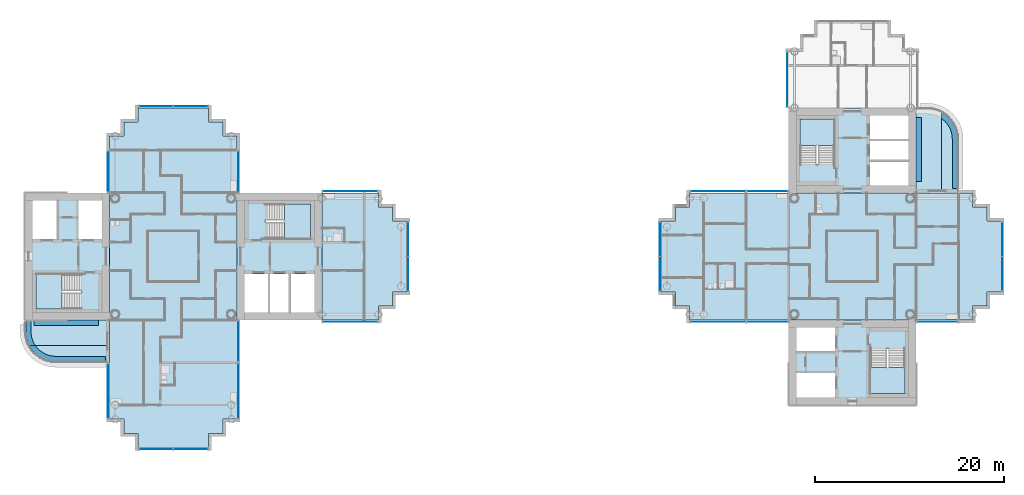
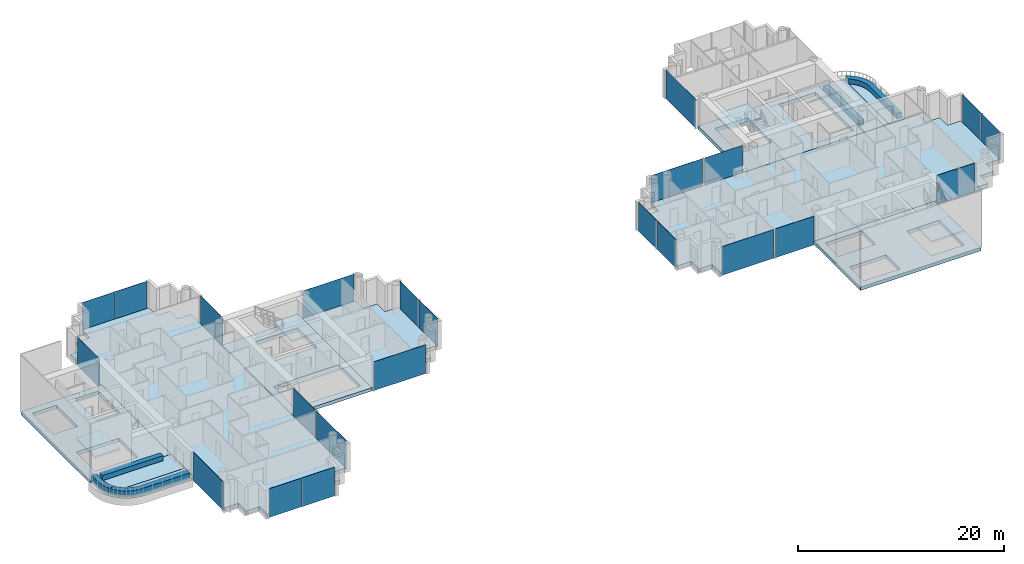
# One storey, part 5 of 20: 23 plates, 20 slabs, 22 elements without a shape of their own.
"""IFC4 building model written with IfcOpenShell, lengths in metres."""

from ifc_helpers import new_model, si_unit, direction, frame, origin, origin_2d, place, context, subcontext, project, spatial, polyline, rectangle, outline, extrude, material, layer, layer_set, type_object, element, aggregate, save


model = new_model("IFC4")

# Units and contexts
model_context = context("Model", 3, precision=1e-05, world=origin(), true_north=direction((0.0, 1.0)))
body_context = subcontext(model_context, "Body", "Model", "MODEL_VIEW")
ifc_project = project(units=[si_unit("LENGTHUNIT", "METRE"), si_unit("AREAUNIT", "SQUARE_METRE"), si_unit("VOLUMEUNIT", "CUBIC_METRE"), si_unit("PLANEANGLEUNIT", "RADIAN"), si_unit("MASSUNIT", "GRAM", prefix="KILO")], contexts=[model_context])

# Site, building, storey
site_placement = place(None, origin())
site = spatial("IfcSite", under=ifc_project, at=site_placement, CompositionType="ELEMENT")
building_placement = place(site_placement, origin())
building = spatial("IfcBuilding", under=site, at=building_placement, Name="Ipe Terrace Towers", CompositionType="ELEMENT")
storey_placement = place(building_placement, frame((0.0, 0.0, 160.89990234375)))
storey = spatial("IfcBuildingStorey", under=building, at=storey_placement, Name="L44", CompositionType="ELEMENT", Elevation=160.89990234375)

# Slabs
ifc_material_1 = material(Name="Concrete C30/37", Category="concrete")
ifc_layer_1 = layer(ifc_material_1, 0.199951171875)
ifc_layer_set_1 = layer_set([ifc_layer_1], Name="BALCONY SLAB 200")
slab_type_1 = type_object("IfcSlabType", Name="BALCONY SLAB 200", PredefinedType="FLOOR", material=ifc_layer_set_1)
slab_1_placement = place(storey_placement, frame((0.0, 0.0, -0.219970703125)))
element("IfcSlab", 1, at=slab_1_placement, inside=storey, type_object=slab_type_1, Name="balcony slab", PredefinedType="FLOOR", context=body_context, shape_type="SweptSolid", body=[
    extrude(outline(polyline([(-51.4990234375, -9.212890625), (-51.382080078125, -9.449951171875), (-42.75, -9.449951171875), (-42.75, -6.75), (-51.75, -6.75), (-51.75, -7.949951171875), (-51.721923828125, -8.381103515625), (-51.637939453125, -8.803955078125), (-51.4990234375, -9.212890625)])), origin(), (0.0, 0.0, 1.0), 0.199951171875),
])
slab_2_placement = place(storey_placement, frame((0.0, 0.0, -0.219970703125)))
element("IfcSlab", 2, at=slab_2_placement, inside=storey, type_object=slab_type_1, Name="balcony slab", PredefinedType="FLOOR", context=body_context, shape_type="SweptSolid", body=[
    extrude(outline(polyline([(-42.75, -11.25), (-42.75, -9.449951171875), (-51.382080078125, -9.449951171875), (-51.30810546875, -9.60009765625), (-51.068115234375, -9.958984375), (-50.782958984375, -10.282958984375), (-50.458984375, -10.568115234375), (-50.10009765625, -10.80810546875), (-49.712890625, -10.9990234375), (-49.303955078125, -11.137939453125), (-48.881103515625, -11.221923828125), (-48.449951171875, -11.25), (-42.75, -11.25)])), origin(), (0.0, 0.0, 1.0), 0.199951171875),
])
slab_3_placement = place(storey_placement, frame((0.0, 0.0, -0.219970703125)))
element("IfcSlab", 3, at=slab_3_placement, inside=storey, type_object=slab_type_1, Name="balcony slab", PredefinedType="FLOOR", context=body_context, shape_type="SweptSolid", body=[
    extrude(outline(polyline([(45.212890625, 15.4990234375), (44.803955078125, 15.637939453125), (44.381103515625, 15.721923828125), (43.949951171875, 15.75), (42.75, 15.75), (42.75, 6.75), (45.449951171875, 6.75), (45.449951171875, 15.382080078125), (45.212890625, 15.4990234375)])), origin(), (0.0, 0.0, 1.0), 0.199951171875),
])
slab_4_placement = place(storey_placement, frame((0.0, 0.0, -0.219970703125)))
element("IfcSlab", 4, at=slab_4_placement, inside=storey, type_object=slab_type_1, Name="balcony slab", PredefinedType="FLOOR", context=body_context, shape_type="SweptSolid", body=[
    extrude(outline(polyline([(47.25, 6.75), (47.25, 12.449951171875), (47.221923828125, 12.881103515625), (47.137939453125, 13.303955078125), (46.9990234375, 13.712890625), (46.80810546875, 14.10009765625), (46.568115234375, 14.458984375), (46.282958984375, 14.782958984375), (45.958984375, 15.068115234375), (45.60009765625, 15.30810546875), (45.449951171875, 15.382080078125), (45.449951171875, 6.75), (47.25, 6.75)])), origin(), (0.0, 0.0, 1.0), 0.199951171875),
])
ifc_material_2 = material(Name="Concrete C30/37", Category="concrete")
ifc_layer_2 = layer(ifc_material_2, 0.39990234375)
ifc_layer_set_2 = layer_set([ifc_layer_2], Name="CORE FLOOR SLAB 400 C30-37")
slab_type_2 = type_object("IfcSlabType", Name="CORE FLOOR SLAB 400 C30-37", PredefinedType="FLOOR", material=ifc_layer_set_2)
slab_5_placement = place(storey_placement, frame((0.0, 0.0, -0.39990234375)))
element("IfcSlab", 5, at=slab_5_placement, inside=storey, type_object=slab_type_2, Name="Core floor T1-C1", PredefinedType="FLOOR", context=body_context, shape_type="SweptSolid", body=[
    extrude(outline(polyline([(-29.25, -6.75), (-29.25, 6.75), (-20.25, 6.75), (-20.25, -6.75), (-29.25, -6.75)]), holes=[polyline([(-28.449951171875, -5.949951171875), (-21.050048828125, -5.949951171875), (-21.050048828125, -1.85009765625), (-28.449951171875, -1.85009765625), (-28.449951171875, -5.949951171875)]), polyline([(-26.199951171875, 5.550048828125), (-26.199951171875, 1.89990234375), (-21.449951171875, 1.89990234375), (-21.449951171875, 5.550048828125), (-26.199951171875, 5.550048828125)])]), origin(), (0.0, 0.0, 1.0), 0.39990234375),
])
slab_6_placement = place(storey_placement, frame((0.0, 0.0, -0.39990234375)))
element("IfcSlab", 6, at=slab_6_placement, inside=storey, type_object=slab_type_2, Name="Core floor T1-C2", PredefinedType="FLOOR", context=body_context, shape_type="SweptSolid", body=[
    extrude(outline(polyline([(-51.75, -6.75), (-51.75, 6.75), (-42.75, 6.75), (-42.75, -6.75), (-51.75, -6.75)]), holes=[polyline([(-45.800048828125, -1.89990234375), (-50.550048828125, -1.89990234375), (-50.550048828125, -5.550048828125), (-45.800048828125, -5.550048828125), (-45.800048828125, -1.89990234375)]), polyline([(-48.25, 1.85009765625), (-48.25, 5.949951171875), (-50.949951171875, 5.949951171875), (-50.949951171875, 1.85009765625), (-48.25, 1.85009765625)]), polyline([(-43.550048828125, 1.85009765625), (-43.550048828125, 5.949951171875), (-46.14990234375, 5.949951171875), (-46.14990234375, 1.85009765625), (-43.550048828125, 1.85009765625)])]), origin(), (0.0, 0.0, 1.0), 0.39990234375),
])
slab_7_placement = place(storey_placement, frame((0.0, 0.0, -0.39990234375)))
element("IfcSlab", 7, at=slab_7_placement, inside=storey, type_object=slab_type_2, Name="Core floor T2-C1", PredefinedType="FLOOR", context=body_context, shape_type="SweptSolid", body=[
    extrude(outline(polyline([(29.25, 6.75), (29.25, 15.75), (42.75, 15.75), (42.75, 6.75), (29.25, 6.75)]), holes=[polyline([(41.949951171875, 7.550048828125), (41.949951171875, 14.949951171875), (37.85009765625, 14.949951171875), (37.85009765625, 7.550048828125), (41.949951171875, 7.550048828125)]), polyline([(30.449951171875, 9.800048828125), (34.10009765625, 9.800048828125), (34.10009765625, 14.550048828125), (30.449951171875, 14.550048828125), (30.449951171875, 9.800048828125)])]), origin(), (0.0, 0.0, 1.0), 0.39990234375),
])
slab_8_placement = place(storey_placement, frame((0.0, 0.0, -0.39990234375)))
element("IfcSlab", 8, at=slab_8_placement, inside=storey, type_object=slab_type_2, Name="Core floor T2-C2", PredefinedType="FLOOR", context=body_context, shape_type="SweptSolid", body=[
    extrude(outline(polyline([(29.25, -15.75), (29.25, -6.75), (42.75, -6.75), (42.75, -15.75), (29.25, -15.75)]), holes=[polyline([(30.050048828125, -12.25), (30.050048828125, -14.949951171875), (34.14990234375, -14.949951171875), (34.14990234375, -12.25), (30.050048828125, -12.25)]), polyline([(41.550048828125, -9.800048828125), (37.89990234375, -9.800048828125), (37.89990234375, -14.550048828125), (41.550048828125, -14.550048828125), (41.550048828125, -9.800048828125)]), polyline([(34.14990234375, -7.550048828125), (30.050048828125, -7.550048828125), (30.050048828125, -10.14990234375), (34.14990234375, -10.14990234375), (34.14990234375, -7.550048828125)])]), origin(), (0.0, 0.0, 1.0), 0.39990234375),
])

# Stair, slab
ifc_material_3 = material(Name="Concrete C30/37", Category="concrete")
stair_type = type_object("IfcStairType", Name="Protected exit stair", PredefinedType="HALF_TURN_STAIR", material=ifc_material_3)
stair_1_placement = place(storey_placement, origin())
stair_1 = element("IfcStair", 9, at=stair_1_placement, inside=storey, type_object=stair_type, Name="L44 Exit stair T1-C1", PredefinedType="HALF_TURN_STAIR")
ifc_material_4 = material(Name="Concrete C30/37", Category="concrete")
ifc_layer_3 = layer(ifc_material_4, 0.199951171875)
ifc_layer_set_3 = layer_set([ifc_layer_3], Name="Exit stair landing 200")
slab_type_3 = type_object("IfcSlabType", Name="Exit stair landing 200", PredefinedType="LANDING", material=ifc_layer_set_3)
slab_9_placement = place(storey_placement, frame((0.0, 0.0, 1.5)))
slab_9 = element("IfcSlab", 10, at=slab_9_placement, type_object=slab_type_3, Name="T1-ST1 landing 1", PredefinedType="LANDING", context=body_context, shape_type="SweptSolid", body=[
    extrude(outline(polyline([(-24.219970703125, 1.89990234375), (-21.449951171875, 1.89990234375), (-21.449951171875, 5.550048828125), (-24.219970703125, 5.550048828125), (-24.219970703125, 1.89990234375)])), origin(), (0.0, 0.0, 1.0), 0.2001953125),
])
aggregate(stair_1, [slab_9])

stair_2_placement = place(storey_placement, origin())
stair_2 = element("IfcStair", 11, at=stair_2_placement, inside=storey, type_object=stair_type, Name="L44 Exit stair T1-C2", PredefinedType="HALF_TURN_STAIR")
slab_10_placement = place(storey_placement, frame((0.0, 0.0, 1.5)))
slab_10 = element("IfcSlab", 12, at=slab_10_placement, type_object=slab_type_3, Name="T1-ST2 landing 1", PredefinedType="LANDING", context=body_context, shape_type="SweptSolid", body=[
    extrude(outline(polyline([(-47.780029296875, -1.89990234375), (-50.550048828125, -1.89990234375), (-50.550048828125, -5.550048828125), (-47.780029296875, -5.550048828125), (-47.780029296875, -1.89990234375)])), origin(), (0.0, 0.0, 1.0), 0.2001953125),
])
aggregate(stair_2, [slab_10])

stair_3_placement = place(storey_placement, origin())
stair_3 = element("IfcStair", 13, at=stair_3_placement, inside=storey, type_object=stair_type, Name="L44 Exit stair T2-C1", PredefinedType="HALF_TURN_STAIR")
slab_11_placement = place(storey_placement, frame((0.0, 0.0, 1.5)))
slab_11 = element("IfcSlab", 14, at=slab_11_placement, type_object=slab_type_3, Name="T2-ST1 landing 1", PredefinedType="LANDING", context=body_context, shape_type="SweptSolid", body=[
    extrude(outline(polyline([(34.10009765625, 11.780029296875), (34.10009765625, 14.550048828125), (30.449951171875, 14.550048828125), (30.449951171875, 11.780029296875), (34.10009765625, 11.780029296875)])), origin(), (0.0, 0.0, 1.0), 0.2001953125),
])
aggregate(stair_3, [slab_11])

stair_4_placement = place(storey_placement, origin())
stair_4 = element("IfcStair", 15, at=stair_4_placement, inside=storey, type_object=stair_type, Name="L44 Exit stair T2-C2", PredefinedType="HALF_TURN_STAIR")
slab_12_placement = place(storey_placement, frame((0.0, 0.0, 1.5)))
slab_12 = element("IfcSlab", 16, at=slab_12_placement, type_object=slab_type_3, Name="T2-ST2 landing 1", PredefinedType="LANDING", context=body_context, shape_type="SweptSolid", body=[
    extrude(outline(polyline([(37.89990234375, -11.780029296875), (37.89990234375, -14.550048828125), (41.550048828125, -14.550048828125), (41.550048828125, -11.780029296875), (37.89990234375, -11.780029296875)])), origin(), (0.0, 0.0, 1.0), 0.2001953125),
])
aggregate(stair_4, [slab_12])

# Slabs
ifc_material_5 = material(Name="Concrete C40/50", Category="concrete")
ifc_layer_4 = layer(ifc_material_5, 0.39990234375)
ifc_layer_set_4 = layer_set([ifc_layer_4], Name="FLAT PLATE SLAB 400 C40-50")
slab_type_4 = type_object("IfcSlabType", Name="FLAT PLATE SLAB 400 C40-50", PredefinedType="FLOOR", material=ifc_layer_set_4)
slab_13_placement = place(storey_placement, frame((0.0, 0.0, -0.39990234375)))
element("IfcSlab", 17, at=slab_13_placement, inside=storey, type_object=slab_type_4, Name="Slab T1-FS-Z31", PredefinedType="FLOOR", context=body_context, shape_type="SweptSolid", body=[
    extrude(outline(polyline([(-30.75, -17.25), (-30.75, -18.75), (-32.25, -18.75), (-32.25, -20.25), (-39.75, -20.25), (-39.75, -18.75), (-41.25, -18.75), (-41.25, -17.25), (-42.75, -17.25), (-42.75, -6.75), (-42.75, 6.75), (-42.75, 12.75), (-41.25, 12.75), (-41.25, 14.25), (-39.75, 14.25), (-39.75, 15.75), (-32.25, 15.75), (-32.25, 14.25), (-30.75, 14.25), (-30.75, 12.75), (-29.25, 12.75), (-29.25, 6.75), (-29.25, -6.75), (-29.25, -17.25), (-30.75, -17.25)])), origin(), (0.0, 0.0, 1.0), 0.39990234375),
])
slab_14_placement = place(storey_placement, frame((0.0, 0.0, -0.39990234375)))
element("IfcSlab", 18, at=slab_14_placement, inside=storey, type_object=slab_type_4, Name="Slab T1-FS-Z32", PredefinedType="FLOOR", context=body_context, shape_type="SweptSolid", body=[
    extrude(outline(polyline([(-14.25, 5.25), (-12.75, 5.25), (-12.75, 3.75), (-11.25, 3.75), (-11.25, -3.75), (-12.75, -3.75), (-12.75, -5.25), (-14.25, -5.25), (-14.25, -6.75), (-20.25, -6.75), (-20.25, 6.75), (-14.25, 6.75), (-14.25, 5.25)])), origin(), (0.0, 0.0, 1.0), 0.39990234375),
])
slab_15_placement = place(storey_placement, frame((0.0, 0.0, -0.39990234375)))
element("IfcSlab", 19, at=slab_15_placement, inside=storey, type_object=slab_type_4, Name="Slab T2-FS-Z31", PredefinedType="FLOOR", context=body_context, shape_type="SweptSolid", body=[
    extrude(outline(polyline([(48.75, 5.25), (50.25, 5.25), (50.25, 3.75), (51.75, 3.75), (51.75, -3.75), (50.25, -3.75), (50.25, -5.25), (48.75, -5.25), (48.75, -6.75), (42.75, -6.75), (29.25, -6.75), (18.75, -6.75), (18.75, -5.25), (17.25, -5.25), (17.25, -3.75), (15.75, -3.75), (15.75, 3.75), (17.25, 3.75), (17.25, 5.25), (18.75, 5.25), (18.75, 6.75), (29.25, 6.75), (42.75, 6.75), (48.75, 6.75), (48.75, 5.25)])), origin(), (0.0, 0.0, 1.0), 0.39990234375),
])
ifc_material_6 = material(Name="Concrete C30/37", Category="concrete")
ifc_layer_5 = layer(ifc_material_6, 0.60009765625)
ifc_layer_set_5 = layer_set([ifc_layer_5], Name="PLANTER TROUGH 550 x 600")
slab_type_5 = type_object("IfcSlabType", Name="PLANTER TROUGH 550 x 600", PredefinedType="USERDEFINED", material=ifc_layer_set_5)
slab_16_placement = place(storey_placement, frame((0.0, 0.0, -0.02001953125)))
element("IfcSlab", 20, at=slab_16_placement, inside=storey, type_object=slab_type_5, Name="planter", ObjectType="PLANTER", PredefinedType="USERDEFINED", context=body_context, shape_type="SweptSolid", body=[
    extrude(outline(polyline([(-50.9990234375, -8.633056640625), (-51.06591796875, -8.2939453125), (-51.090087890625, -7.927978515625), (-51.090087890625, -6.75), (-51.639892578125, -6.75), (-51.639892578125, -7.93701171875), (-51.638916015625, -7.955078125), (-51.614013671875, -8.347900390625), (-51.60888671875, -8.384033203125), (-51.534912109375, -8.758056640625), (-51.52490234375, -8.79296875), (-51.403076171875, -9.154052734375), (-51.388916015625, -9.18701171875), (-51.259033203125, -9.449951171875), (-50.614013671875, -9.449951171875), (-50.735107421875, -9.26904296875), (-50.887939453125, -8.9599609375), (-50.9990234375, -8.633056640625)])), origin(), (0.0, 0.0, 1.0), 0.60009765625),
])
slab_17_placement = place(storey_placement, frame((0.0, 0.0, -0.02001953125)))
element("IfcSlab", 21, at=slab_17_placement, inside=storey, type_object=slab_type_5, Name="planter", ObjectType="PLANTER", PredefinedType="USERDEFINED", context=body_context, shape_type="SweptSolid", body=[
    extrude(outline(polyline([(-50.54296875, -9.555908203125), (-50.614013671875, -9.449951171875), (-51.259033203125, -9.449951171875), (-51.219970703125, -9.529052734375), (-51.201904296875, -9.56005859375), (-50.990966796875, -9.876953125), (-50.968994140625, -9.905029296875), (-50.717041015625, -10.19189453125), (-50.69189453125, -10.217041015625), (-50.405029296875, -10.468994140625), (-50.376953125, -10.490966796875), (-50.06005859375, -10.701904296875), (-50.029052734375, -10.719970703125), (-49.68701171875, -10.888916015625), (-49.654052734375, -10.903076171875), (-49.29296875, -11.02490234375), (-49.258056640625, -11.034912109375), (-48.884033203125, -11.10888671875), (-48.847900390625, -11.114013671875), (-48.455078125, -11.138916015625), (-48.43701171875, -11.139892578125), (-43.199951171875, -11.139892578125), (-43.199951171875, -10.590087890625), (-48.427978515625, -10.590087890625), (-48.7939453125, -10.56591796875), (-49.133056640625, -10.4990234375), (-49.4599609375, -10.387939453125), (-49.76904296875, -10.235107421875), (-50.055908203125, -10.04296875), (-50.31591796875, -9.81591796875), (-50.54296875, -9.555908203125)])), origin(), (0.0, 0.0, 1.0), 0.60009765625),
])
slab_18_placement = place(storey_placement, frame((0.0, 0.0, -0.02001953125)))
element("IfcSlab", 22, at=slab_18_placement, inside=storey, type_object=slab_type_5, Name="planter", ObjectType="PLANTER", PredefinedType="USERDEFINED", context=body_context, shape_type="SweptSolid", body=[
    extrude(outline(polyline([(-43.949951171875, -6.75), (-50.75, -6.75), (-50.75, -7.300048828125), (-43.949951171875, -7.300048828125), (-43.949951171875, -6.75)])), origin(), (0.0, 0.0, 1.0), 0.60009765625),
])
slab_19_placement = place(storey_placement, frame((0.0, 0.0, -0.02001953125)))
element("IfcSlab", 23, at=slab_19_placement, inside=storey, type_object=slab_type_5, Name="planter", ObjectType="PLANTER", PredefinedType="USERDEFINED", context=body_context, shape_type="SweptSolid", body=[
    extrude(outline(polyline([(45.555908203125, 14.54296875), (45.81591796875, 14.31591796875), (46.04296875, 14.055908203125), (46.235107421875, 13.76904296875), (46.387939453125, 13.4599609375), (46.4990234375, 13.133056640625), (46.56591796875, 12.7939453125), (46.590087890625, 12.427978515625), (46.590087890625, 7.199951171875), (47.139892578125, 7.199951171875), (47.139892578125, 12.43701171875), (47.138916015625, 12.455078125), (47.114013671875, 12.847900390625), (47.10888671875, 12.884033203125), (47.034912109375, 13.258056640625), (47.02490234375, 13.29296875), (46.903076171875, 13.654052734375), (46.888916015625, 13.68701171875), (46.719970703125, 14.029052734375), (46.701904296875, 14.06005859375), (46.490966796875, 14.376953125), (46.468994140625, 14.405029296875), (46.217041015625, 14.69189453125), (46.19189453125, 14.717041015625), (45.905029296875, 14.968994140625), (45.876953125, 14.990966796875), (45.56005859375, 15.201904296875), (45.529052734375, 15.219970703125), (45.449951171875, 15.259033203125), (45.449951171875, 14.614013671875), (45.555908203125, 14.54296875)])), origin(), (0.0, 0.0, 1.0), 0.60009765625),
])
slab_20_placement = place(storey_placement, frame((0.0, 0.0, -0.02001953125)))
element("IfcSlab", 24, at=slab_20_placement, inside=storey, type_object=slab_type_5, Name="planter", ObjectType="PLANTER", PredefinedType="USERDEFINED", context=body_context, shape_type="SweptSolid", body=[
    extrude(outline(polyline([(42.75, 7.949951171875), (43.300048828125, 7.949951171875), (43.300048828125, 14.75), (42.75, 14.75), (42.75, 7.949951171875)])), origin(), (0.0, 0.0, 1.0), 0.60009765625),
])

# Curtain wall, plate
ifc_material_7 = material(Name="Aluminium alloy 6063-T6", Category="aluminium")
ifc_layer_6 = layer(ifc_material_7, 0.320068359375)
ifc_layer_set_6 = layer_set([ifc_layer_6], Name="TOWER UNITISED CURTAIN WALL")
curtain_wall_type = type_object("IfcCurtainWallType", Name="TOWER UNITISED CURTAIN WALL", PredefinedType="NOTDEFINED", material=ifc_layer_set_6)
curtain_wall_1_placement = place(storey_placement, origin())
curtain_wall_1 = element("IfcCurtainWall", 25, at=curtain_wall_1_placement, inside=storey, type_object=curtain_wall_type, Name="T1-CW-L44-03a curtain wall", PredefinedType="NOTDEFINED")
ifc_material_8 = material(Name="Glass, clear laminated", Category="glass")
ifc_layer_7 = layer(ifc_material_8, 0.031982421875)
ifc_layer_set_7 = layer_set([ifc_layer_7], Name="TOWER UNITISED GLASS PANEL 32")
plate_type = type_object("IfcPlateType", Name="TOWER UNITISED GLASS PANEL 32", PredefinedType="CURTAIN_PANEL", material=ifc_layer_set_7)
plate_1_placement = place(storey_placement, frame((-42.909912109375, -14.25, -0.2998046875), z_axis=(0.0, 0.0, 1.0), x_axis=(0.0, -1.0, 0.0)))
plate_1 = element("IfcPlate", 26, at=plate_1_placement, type_object=plate_type, Name="T1-CW-L44-03a panel 1", PredefinedType="CURTAIN_PANEL", context=body_context, shape_type="SweptSolid", body=[
    extrude(rectangle(XDim=5.760009765625, YDim=0.031982421875, at=origin_2d()), origin(), (0.0, 0.0, 1.0), 3.39990234375),
])
aggregate(curtain_wall_1, [plate_1])

# Curtain wall, plates
curtain_wall_2_placement = place(storey_placement, origin())
curtain_wall_2 = element("IfcCurtainWall", 27, at=curtain_wall_2_placement, inside=storey, type_object=curtain_wall_type, Name="T1-CW-L44-08a curtain wall", PredefinedType="NOTDEFINED")
plate_2_placement = place(storey_placement, frame((-37.831298828125, -20.409912109375, -0.2998046875), z_axis=(0.0, 0.0, 1.0), x_axis=(1.0, 0.0, 0.0)))
plate_2 = element("IfcPlate", 28, at=plate_2_placement, type_object=plate_type, Name="T1-CW-L44-08a panel 1", PredefinedType="CURTAIN_PANEL", context=body_context, shape_type="SweptSolid", body=[
    extrude(rectangle(XDim=3.597412109375, YDim=0.031982421875, at=origin_2d()), origin(), (0.0, 0.0, 1.0), 3.39990234375),
])
plate_3_placement = place(storey_placement, frame((-34.168701171875, -20.409912109375, -0.2998046875), z_axis=(0.0, 0.0, 1.0), x_axis=(1.0, 0.0, 0.0)))
plate_3 = element("IfcPlate", 29, at=plate_3_placement, type_object=plate_type, Name="T1-CW-L44-08a panel 2", PredefinedType="CURTAIN_PANEL", context=body_context, shape_type="SweptSolid", body=[
    extrude(rectangle(XDim=3.597412109375, YDim=0.031982421875, at=origin_2d()), origin(), (0.0, 0.0, 1.0), 3.39990234375),
])
aggregate(curtain_wall_2, [plate_2, plate_3])

# Curtain wall, plate
curtain_wall_3_placement = place(storey_placement, origin())
curtain_wall_3 = element("IfcCurtainWall", 30, at=curtain_wall_3_placement, inside=storey, type_object=curtain_wall_type, Name="T1-CW-L44-13a curtain wall", PredefinedType="NOTDEFINED")
plate_4_placement = place(storey_placement, frame((-29.090087890625, -14.25, -0.2998046875), z_axis=(0.0, 0.0, 1.0), x_axis=(0.0, 1.0, 0.0)))
plate_4 = element("IfcPlate", 31, at=plate_4_placement, type_object=plate_type, Name="T1-CW-L44-13a panel 1", PredefinedType="CURTAIN_PANEL", context=body_context, shape_type="SweptSolid", body=[
    extrude(rectangle(XDim=5.760009765625, YDim=0.031982421875, at=origin_2d()), origin(), (0.0, 0.0, 1.0), 3.39990234375),
])
aggregate(curtain_wall_3, [plate_4])

curtain_wall_4_placement = place(storey_placement, origin())
curtain_wall_4 = element("IfcCurtainWall", 32, at=curtain_wall_4_placement, inside=storey, type_object=curtain_wall_type, Name="T1-CW-L44-14a curtain wall", PredefinedType="NOTDEFINED")
plate_5_placement = place(storey_placement, frame((-29.090087890625, -9.0, -0.2998046875), z_axis=(0.0, 0.0, 1.0), x_axis=(0.0, 1.0, 0.0)))
plate_5 = element("IfcPlate", 33, at=plate_5_placement, type_object=plate_type, Name="T1-CW-L44-14a panel 1", PredefinedType="CURTAIN_PANEL", context=body_context, shape_type="SweptSolid", body=[
    extrude(rectangle(XDim=4.260009765625, YDim=0.031982421875, at=origin_2d()), origin(), (0.0, 0.0, 1.0), 3.39990234375),
])
aggregate(curtain_wall_4, [plate_5])

curtain_wall_5_placement = place(storey_placement, origin())
curtain_wall_5 = element("IfcCurtainWall", 34, at=curtain_wall_5_placement, inside=storey, type_object=curtain_wall_type, Name="T1-CW-L44-16b curtain wall", PredefinedType="NOTDEFINED")
plate_6_placement = place(storey_placement, frame((-17.24951171875, -6.909912109375, -0.2998046875), z_axis=(0.0, 0.0, 1.0), x_axis=(1.0, 0.0, 0.0)))
plate_6 = element("IfcPlate", 35, at=plate_6_placement, type_object=plate_type, Name="T1-CW-L44-16b panel 1", PredefinedType="CURTAIN_PANEL", context=body_context, shape_type="SweptSolid", body=[
    extrude(rectangle(XDim=5.759033203125, YDim=0.031982421875, at=origin_2d()), origin(), (0.0, 0.0, 1.0), 3.39990234375),
])
aggregate(curtain_wall_5, [plate_6])

# Curtain wall, plates
curtain_wall_6_placement = place(storey_placement, origin())
curtain_wall_6 = element("IfcCurtainWall", 36, at=curtain_wall_6_placement, inside=storey, type_object=curtain_wall_type, Name="T1-CW-L44-21a curtain wall", PredefinedType="NOTDEFINED")
plate_7_placement = place(storey_placement, frame((-11.090087890625, -1.831298828125, -0.2998046875), z_axis=(0.0, 0.0, 1.0), x_axis=(0.0, 1.0, 0.0)))
plate_7 = element("IfcPlate", 37, at=plate_7_placement, type_object=plate_type, Name="T1-CW-L44-21a panel 1", PredefinedType="CURTAIN_PANEL", context=body_context, shape_type="SweptSolid", body=[
    extrude(rectangle(XDim=3.597412109375, YDim=0.031982421875, at=origin_2d()), origin(), (0.0, 0.0, 1.0), 3.39990234375),
])
plate_8_placement = place(storey_placement, frame((-11.090087890625, 1.831298828125, -0.2998046875), z_axis=(0.0, 0.0, 1.0), x_axis=(0.0, 1.0, 0.0)))
plate_8 = element("IfcPlate", 38, at=plate_8_placement, type_object=plate_type, Name="T1-CW-L44-21a panel 2", PredefinedType="CURTAIN_PANEL", context=body_context, shape_type="SweptSolid", body=[
    extrude(rectangle(XDim=3.597412109375, YDim=0.031982421875, at=origin_2d()), origin(), (0.0, 0.0, 1.0), 3.39990234375),
])
aggregate(curtain_wall_6, [plate_7, plate_8])

# Curtain wall, plate
curtain_wall_7_placement = place(storey_placement, origin())
curtain_wall_7 = element("IfcCurtainWall", 39, at=curtain_wall_7_placement, inside=storey, type_object=curtain_wall_type, Name="T1-CW-L44-26a curtain wall", PredefinedType="NOTDEFINED")
plate_9_placement = place(storey_placement, frame((-17.24951171875, 6.909912109375, -0.2998046875), z_axis=(0.0, 0.0, 1.0), x_axis=(-1.0, 0.0, 0.0)))
plate_9 = element("IfcPlate", 40, at=plate_9_placement, type_object=plate_type, Name="T1-CW-L44-26a panel 1", PredefinedType="CURTAIN_PANEL", context=body_context, shape_type="SweptSolid", body=[
    extrude(rectangle(XDim=5.759033203125, YDim=0.031982421875, at=origin_2d()), origin(), (0.0, 0.0, 1.0), 3.39990234375),
])
aggregate(curtain_wall_7, [plate_9])

curtain_wall_8_placement = place(storey_placement, origin())
curtain_wall_8 = element("IfcCurtainWall", 41, at=curtain_wall_8_placement, inside=storey, type_object=curtain_wall_type, Name="T1-CW-L44-28a curtain wall", PredefinedType="NOTDEFINED")
plate_10_placement = place(storey_placement, frame((-29.090087890625, 9.0, -0.2998046875), z_axis=(0.0, 0.0, 1.0), x_axis=(0.0, 1.0, 0.0)))
plate_10 = element("IfcPlate", 42, at=plate_10_placement, type_object=plate_type, Name="T1-CW-L44-28a panel 1", PredefinedType="CURTAIN_PANEL", context=body_context, shape_type="SweptSolid", body=[
    extrude(rectangle(XDim=4.260009765625, YDim=0.031982421875, at=origin_2d()), origin(), (0.0, 0.0, 1.0), 3.39990234375),
])
aggregate(curtain_wall_8, [plate_10])

# Curtain wall, plates
curtain_wall_9_placement = place(storey_placement, origin())
curtain_wall_9 = element("IfcCurtainWall", 43, at=curtain_wall_9_placement, inside=storey, type_object=curtain_wall_type, Name="T1-CW-L44-34a curtain wall", PredefinedType="NOTDEFINED")
plate_11_placement = place(storey_placement, frame((-34.168701171875, 15.909912109375, -0.2998046875), z_axis=(0.0, 0.0, 1.0), x_axis=(-1.0, 0.0, 0.0)))
plate_11 = element("IfcPlate", 44, at=plate_11_placement, type_object=plate_type, Name="T1-CW-L44-34a panel 1", PredefinedType="CURTAIN_PANEL", context=body_context, shape_type="SweptSolid", body=[
    extrude(rectangle(XDim=3.597412109375, YDim=0.031982421875, at=origin_2d()), origin(), (0.0, 0.0, 1.0), 3.39990234375),
])
plate_12_placement = place(storey_placement, frame((-37.831298828125, 15.909912109375, -0.2998046875), z_axis=(0.0, 0.0, 1.0), x_axis=(-1.0, 0.0, 0.0)))
plate_12 = element("IfcPlate", 45, at=plate_12_placement, type_object=plate_type, Name="T1-CW-L44-34a panel 2", PredefinedType="CURTAIN_PANEL", context=body_context, shape_type="SweptSolid", body=[
    extrude(rectangle(XDim=3.597412109375, YDim=0.031982421875, at=origin_2d()), origin(), (0.0, 0.0, 1.0), 3.39990234375),
])
aggregate(curtain_wall_9, [plate_11, plate_12])

# Curtain wall, plate
curtain_wall_10_placement = place(storey_placement, origin())
curtain_wall_10 = element("IfcCurtainWall", 46, at=curtain_wall_10_placement, inside=storey, type_object=curtain_wall_type, Name="T1-CW-L44-40a curtain wall", PredefinedType="NOTDEFINED")
plate_13_placement = place(storey_placement, frame((-42.909912109375, 9.0, -0.2998046875), z_axis=(0.0, 0.0, 1.0), x_axis=(0.0, -1.0, 0.0)))
plate_13 = element("IfcPlate", 47, at=plate_13_placement, type_object=plate_type, Name="T1-CW-L44-40a panel 1", PredefinedType="CURTAIN_PANEL", context=body_context, shape_type="SweptSolid", body=[
    extrude(rectangle(XDim=4.260009765625, YDim=0.031982421875, at=origin_2d()), origin(), (0.0, 0.0, 1.0), 3.39990234375),
])
aggregate(curtain_wall_10, [plate_13])

curtain_wall_11_placement = place(storey_placement, origin())
curtain_wall_11 = element("IfcCurtainWall", 48, at=curtain_wall_11_placement, inside=storey, type_object=curtain_wall_type, Name="T2-CW-L44-02a curtain wall", PredefinedType="NOTDEFINED")
plate_14_placement = place(storey_placement, frame((45.0, -6.909912109375, -0.2998046875), z_axis=(0.0, 0.0, 1.0), x_axis=(1.0, 0.0, 0.0)))
plate_14 = element("IfcPlate", 49, at=plate_14_placement, type_object=plate_type, Name="T2-CW-L44-02a panel 1", PredefinedType="CURTAIN_PANEL", context=body_context, shape_type="SweptSolid", body=[
    extrude(rectangle(XDim=4.260009765625, YDim=0.031982421875, at=origin_2d()), origin(), (0.0, 0.0, 1.0), 3.39990234375),
])
aggregate(curtain_wall_11, [plate_14])

# Curtain wall, plates
curtain_wall_12_placement = place(storey_placement, origin())
curtain_wall_12 = element("IfcCurtainWall", 50, at=curtain_wall_12_placement, inside=storey, type_object=curtain_wall_type, Name="T2-CW-L44-08a curtain wall", PredefinedType="NOTDEFINED")
plate_15_placement = place(storey_placement, frame((51.909912109375, -1.831298828125, -0.2998046875), z_axis=(0.0, 0.0, 1.0), x_axis=(0.0, 1.0, 0.0)))
plate_15 = element("IfcPlate", 51, at=plate_15_placement, type_object=plate_type, Name="T2-CW-L44-08a panel 1", PredefinedType="CURTAIN_PANEL", context=body_context, shape_type="SweptSolid", body=[
    extrude(rectangle(XDim=3.597412109375, YDim=0.031982421875, at=origin_2d()), origin(), (0.0, 0.0, 1.0), 3.39990234375),
])
plate_16_placement = place(storey_placement, frame((51.909912109375, 1.831298828125, -0.2998046875), z_axis=(0.0, 0.0, 1.0), x_axis=(0.0, 1.0, 0.0)))
plate_16 = element("IfcPlate", 52, at=plate_16_placement, type_object=plate_type, Name="T2-CW-L44-08a panel 2", PredefinedType="CURTAIN_PANEL", context=body_context, shape_type="SweptSolid", body=[
    extrude(rectangle(XDim=3.597412109375, YDim=0.031982421875, at=origin_2d()), origin(), (0.0, 0.0, 1.0), 3.39990234375),
])
aggregate(curtain_wall_12, [plate_15, plate_16])

# Curtain wall, plate
curtain_wall_13_placement = place(storey_placement, origin())
curtain_wall_13 = element("IfcCurtainWall", 53, at=curtain_wall_13_placement, inside=storey, type_object=curtain_wall_type, Name="T2-CW-L44-26a curtain wall", PredefinedType="NOTDEFINED")
plate_17_placement = place(storey_placement, frame((29.090087890625, 18.75048828125, -0.2998046875), z_axis=(0.0, 0.0, 1.0), x_axis=(0.0, -1.0, 0.0)))
plate_17 = element("IfcPlate", 54, at=plate_17_placement, type_object=plate_type, Name="T2-CW-L44-26a panel 1", PredefinedType="CURTAIN_PANEL", context=body_context, shape_type="SweptSolid", body=[
    extrude(rectangle(XDim=5.759033203125, YDim=0.031982421875, at=origin_2d()), origin(), (0.0, 0.0, 1.0), 3.39990234375),
])
aggregate(curtain_wall_13, [plate_17])

curtain_wall_14_placement = place(storey_placement, origin())
curtain_wall_14 = element("IfcCurtainWall", 55, at=curtain_wall_14_placement, inside=storey, type_object=curtain_wall_type, Name="T2-CW-L44-28a curtain wall", PredefinedType="NOTDEFINED")
plate_18_placement = place(storey_placement, frame((27.0, 6.909912109375, -0.2998046875), z_axis=(0.0, 0.0, 1.0), x_axis=(-1.0, 0.0, 0.0)))
plate_18 = element("IfcPlate", 56, at=plate_18_placement, type_object=plate_type, Name="T2-CW-L44-28a panel 1", PredefinedType="CURTAIN_PANEL", context=body_context, shape_type="SweptSolid", body=[
    extrude(rectangle(XDim=4.260009765625, YDim=0.031982421875, at=origin_2d()), origin(), (0.0, 0.0, 1.0), 3.39990234375),
])
aggregate(curtain_wall_14, [plate_18])

curtain_wall_15_placement = place(storey_placement, origin())
curtain_wall_15 = element("IfcCurtainWall", 57, at=curtain_wall_15_placement, inside=storey, type_object=curtain_wall_type, Name="T2-CW-L44-29a curtain wall", PredefinedType="NOTDEFINED")
plate_19_placement = place(storey_placement, frame((21.75, 6.909912109375, -0.2998046875), z_axis=(0.0, 0.0, 1.0), x_axis=(-1.0, 0.0, 0.0)))
plate_19 = element("IfcPlate", 58, at=plate_19_placement, type_object=plate_type, Name="T2-CW-L44-29a panel 1", PredefinedType="CURTAIN_PANEL", context=body_context, shape_type="SweptSolid", body=[
    extrude(rectangle(XDim=5.760009765625, YDim=0.031982421875, at=origin_2d()), origin(), (0.0, 0.0, 1.0), 3.39990234375),
])
aggregate(curtain_wall_15, [plate_19])

# Curtain wall, plates
curtain_wall_16_placement = place(storey_placement, origin())
curtain_wall_16 = element("IfcCurtainWall", 59, at=curtain_wall_16_placement, inside=storey, type_object=curtain_wall_type, Name="T2-CW-L44-34a curtain wall", PredefinedType="NOTDEFINED")
plate_20_placement = place(storey_placement, frame((15.590087890625, 1.831298828125, -0.2998046875), z_axis=(0.0, 0.0, 1.0), x_axis=(0.0, -1.0, 0.0)))
plate_20 = element("IfcPlate", 60, at=plate_20_placement, type_object=plate_type, Name="T2-CW-L44-34a panel 1", PredefinedType="CURTAIN_PANEL", context=body_context, shape_type="SweptSolid", body=[
    extrude(rectangle(XDim=3.597412109375, YDim=0.031982421875, at=origin_2d()), origin(), (0.0, 0.0, 1.0), 3.39990234375),
])
plate_21_placement = place(storey_placement, frame((15.590087890625, -1.831298828125, -0.2998046875), z_axis=(0.0, 0.0, 1.0), x_axis=(0.0, -1.0, 0.0)))
plate_21 = element("IfcPlate", 61, at=plate_21_placement, type_object=plate_type, Name="T2-CW-L44-34a panel 2", PredefinedType="CURTAIN_PANEL", context=body_context, shape_type="SweptSolid", body=[
    extrude(rectangle(XDim=3.597412109375, YDim=0.031982421875, at=origin_2d()), origin(), (0.0, 0.0, 1.0), 3.39990234375),
])
aggregate(curtain_wall_16, [plate_20, plate_21])

# Curtain wall, plate
curtain_wall_17_placement = place(storey_placement, origin())
curtain_wall_17 = element("IfcCurtainWall", 62, at=curtain_wall_17_placement, inside=storey, type_object=curtain_wall_type, Name="T2-CW-L44-39a curtain wall", PredefinedType="NOTDEFINED")
plate_22_placement = place(storey_placement, frame((21.75, -6.909912109375, -0.2998046875), z_axis=(0.0, 0.0, 1.0), x_axis=(1.0, 0.0, 0.0)))
plate_22 = element("IfcPlate", 63, at=plate_22_placement, type_object=plate_type, Name="T2-CW-L44-39a panel 1", PredefinedType="CURTAIN_PANEL", context=body_context, shape_type="SweptSolid", body=[
    extrude(rectangle(XDim=5.760009765625, YDim=0.031982421875, at=origin_2d()), origin(), (0.0, 0.0, 1.0), 3.39990234375),
])
aggregate(curtain_wall_17, [plate_22])

curtain_wall_18_placement = place(storey_placement, origin())
curtain_wall_18 = element("IfcCurtainWall", 64, at=curtain_wall_18_placement, inside=storey, type_object=curtain_wall_type, Name="T2-CW-L44-40a curtain wall", PredefinedType="NOTDEFINED")
plate_23_placement = place(storey_placement, frame((27.0, -6.909912109375, -0.2998046875), z_axis=(0.0, 0.0, 1.0), x_axis=(1.0, 0.0, 0.0)))
plate_23 = element("IfcPlate", 65, at=plate_23_placement, type_object=plate_type, Name="T2-CW-L44-40a panel 1", PredefinedType="CURTAIN_PANEL", context=body_context, shape_type="SweptSolid", body=[
    extrude(rectangle(XDim=4.260009765625, YDim=0.031982421875, at=origin_2d()), origin(), (0.0, 0.0, 1.0), 3.39990234375),
])
aggregate(curtain_wall_18, [plate_23])

save(model, "model.ifc")
